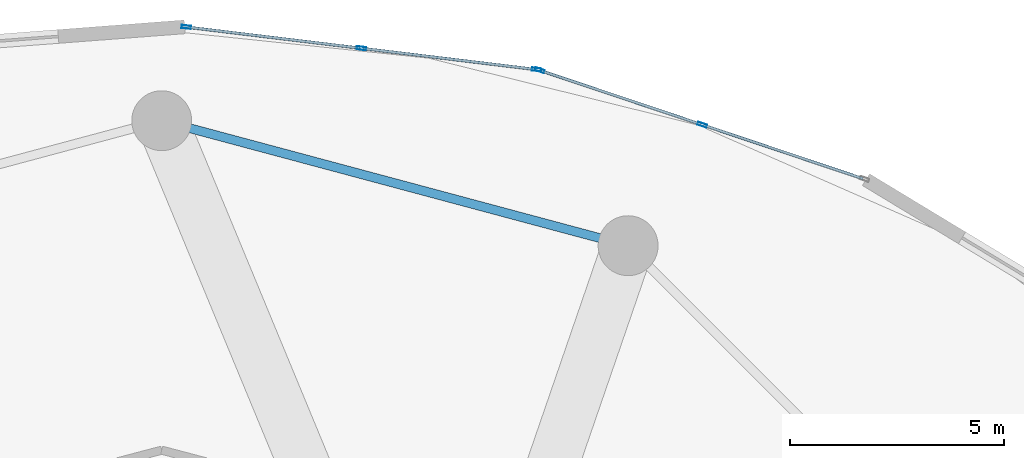
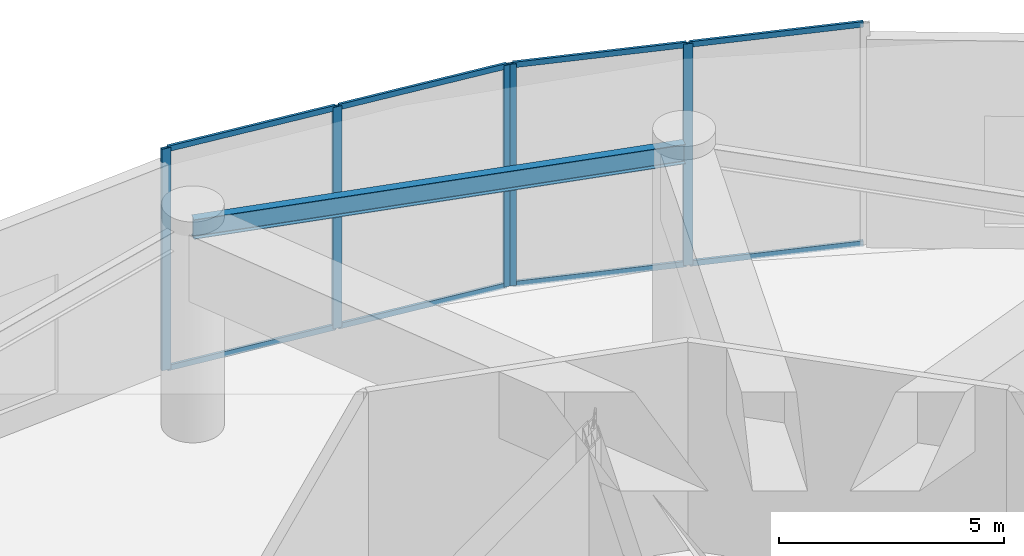
# One storey, part 18 of 28: 13 members, 1 beam, 2 elements without a shape of their own.
"""IFC4 building model written with IfcOpenShell, lengths in metres."""

from ifc_helpers import new_model, si_unit, direction, frame, origin, origin_2d, place, context, subcontext, project, spatial, hollow_rectangle, i_section, extrude, source, transform, mapped, material, layer, layer_set, material_profile, profile_set, type_object, element, aggregate, save


model = new_model("IFC4")

# Units and contexts
model_context = context("Model", 3, precision=1e-05, world=origin(), true_north=direction((0.0, 1.0)))
body_context = subcontext(model_context, "Body", "Model", "MODEL_VIEW")
ifc_project = project(units=[si_unit("LENGTHUNIT", "METRE"), si_unit("AREAUNIT", "SQUARE_METRE"), si_unit("VOLUMEUNIT", "CUBIC_METRE"), si_unit("PLANEANGLEUNIT", "RADIAN"), si_unit("MASSUNIT", "GRAM", prefix="KILO")], contexts=[model_context])

# Site, building, storey
site_placement = place(None, origin())
site = spatial("IfcSite", under=ifc_project, at=site_placement, CompositionType="ELEMENT")
building_placement = place(site_placement, origin())
building = spatial("IfcBuilding", under=site, at=building_placement, Name="Solvirekh Grand Hotel", CompositionType="ELEMENT")
storey_placement = place(building_placement, frame((0.0, 0.0, 12.60009765625)))
storey = spatial("IfcBuildingStorey", under=building, at=storey_placement, Name="L02", CompositionType="ELEMENT", Elevation=12.60009765625)

# Beam
ifc_material_1 = material(Name="Steel S355", Category="steel")
ifc_material_profile_1 = material_profile(ifc_material_1, i_section(OverallWidth=0.208984375, OverallDepth=0.532958984375, WebThickness=0.010009765625, FlangeThickness=0.014892578125, FilletRadius=0.013916015625, at=origin_2d()), Name="W530X92")
ifc_profile_set_1 = profile_set([ifc_material_profile_1], Name="Steel S355")
beam_type = type_object("IfcBeamType", Name="Spandrel_Ring_W530", PredefinedType="SPANDREL", material=ifc_profile_set_1)
beam_placement = place(storey_placement, frame((10.89990234375, 18.87890625, 5.372802734375), z_axis=(-0.965914248703, 0.258862249378, 0.0), x_axis=(-0.258862249378, -0.965914248703, 0.0)))
element("IfcBeam", 1, at=beam_placement, inside=storey, type_object=beam_type, Name="L02 perimeter spandrel beam 3", PredefinedType="SPANDREL", context=body_context, shape_type="SweptSolid", body=[
    extrude(i_section(OverallWidth=0.208984375, OverallDepth=0.532958984375, WebThickness=0.010009765625, FlangeThickness=0.014892578125, FilletRadius=0.013916015625, at=origin_2d()), origin(), (0.0, 0.0, 1.0), 11.284423828125),
])

# Curtain wall, members
ifc_material_2 = material(Name="Anodized Bronze Aluminium 6063-T6", Category="aluminium")
ifc_layer = layer(ifc_material_2, 0.219970703125)
ifc_layer_set = layer_set([ifc_layer], Name="Anodized Bronze Aluminium 6063-T6")
curtain_wall_type = type_object("IfcCurtainWallType", Name="CW_Sys1_PodiumBronzeUnitised", PredefinedType="NOTDEFINED", material=ifc_layer_set)
curtain_wall_1_placement = place(storey_placement, origin())
curtain_wall_1 = element("IfcCurtainWall", 2, at=curtain_wall_1_placement, inside=storey, type_object=curtain_wall_type, Name="L02 unitised bronze-glass curtain wall CW-L02-C05", PredefinedType="NOTDEFINED")
ifc_material_profile_2 = material_profile(ifc_material_2, hollow_rectangle(XDim=0.074951171875, YDim=0.219970703125, WallThickness=0.006103515625, at=origin_2d()), Name="ALU RHS 220X75X6")
ifc_profile_set_2 = profile_set([ifc_material_profile_2], Name="Anodized Bronze Aluminium 6063-T6")
member_type_1 = type_object("IfcMemberType", Name="CWMullion_Sys1", PredefinedType="MULLION", material=ifc_profile_set_2)
shared_shape_1 = source(origin(), body_context, "Body", "SweptSolid", [
    extrude(hollow_rectangle(XDim=0.074951171875, YDim=0.219970703125, WallThickness=0.006103515625, at=origin_2d()), origin(), (0.0, 0.0, 1.0), 6.0),
])
member_1_placement = place(storey_placement, frame((12.62890625, 21.70654296875, 0.0), z_axis=(0.0, 0.0, 1.0), x_axis=(-0.317897817007, -0.948124980128, 0.0)))
member_1 = element("IfcMember", 3, at=member_1_placement, type_object=member_type_1, Name="U01 mullion 2", PredefinedType="MULLION", context=body_context, shape_type="MappedRepresentation", body=[
    mapped(shared_shape_1, transform((0.0, 0.0, 0.0), x_axis=(1.0, 0.0, 0.0), y_axis=(0.0, 1.0, 0.0), z_axis=(0.0, 0.0, 1.0), scale=1.0)),
])
member_2_placement = place(storey_placement, frame((8.83349609375, 22.97900390625, 0.0), z_axis=(0.0, 0.0, 1.0), x_axis=(-0.317897817007, -0.948124980128, 0.0)))
member_2 = element("IfcMember", 4, at=member_2_placement, type_object=member_type_1, Name="U01 mullion 3", PredefinedType="MULLION", context=body_context, shape_type="MappedRepresentation", body=[
    mapped(shared_shape_1, transform((0.0, 0.0, 0.0), x_axis=(1.0, 0.0, 0.0), y_axis=(0.0, 1.0, 0.0), z_axis=(0.0, 0.0, 1.0), scale=1.0)),
])

curtain_wall_2_placement = place(storey_placement, origin())
curtain_wall_2 = element("IfcCurtainWall", 5, at=curtain_wall_2_placement, inside=storey, type_object=curtain_wall_type, Name="L02 unitised bronze-glass curtain wall CW-L02-C06", PredefinedType="NOTDEFINED")
member_3_placement = place(storey_placement, frame((8.7607421875, 22.99560546875, 0.0), z_axis=(0.0, 0.0, 1.0), x_axis=(-0.12051436912, -0.992711582906, 0.0)))
member_3 = element("IfcMember", 6, at=member_3_placement, type_object=member_type_1, Name="U01 mullion 1", PredefinedType="MULLION", context=body_context, shape_type="MappedRepresentation", body=[
    mapped(shared_shape_1, transform((0.0, 0.0, 0.0), x_axis=(1.0, 0.0, 0.0), y_axis=(0.0, 1.0, 0.0), z_axis=(0.0, 0.0, 1.0), scale=1.0)),
])
member_4_placement = place(storey_placement, frame((4.6669921875, 23.492431640625, 0.0), z_axis=(0.0, 0.0, 1.0), x_axis=(-0.12051436912, -0.992711582906, 0.0)))
member_4 = element("IfcMember", 7, at=member_4_placement, type_object=member_type_1, Name="U01 mullion 2", PredefinedType="MULLION", context=body_context, shape_type="MappedRepresentation", body=[
    mapped(shared_shape_1, transform((0.0, 0.0, 0.0), x_axis=(1.0, 0.0, 0.0), y_axis=(0.0, 1.0, 0.0), z_axis=(0.0, 0.0, 1.0), scale=1.0)),
])
member_5_placement = place(storey_placement, frame((0.5732421875, 23.989501953125, 0.0), z_axis=(0.0, 0.0, 1.0), x_axis=(-0.12051436912, -0.992711582906, 0.0)))
member_5 = element("IfcMember", 8, at=member_5_placement, type_object=member_type_1, Name="U01 mullion 3", PredefinedType="MULLION", context=body_context, shape_type="MappedRepresentation", body=[
    mapped(shared_shape_1, transform((0.0, 0.0, 0.0), x_axis=(1.0, 0.0, 0.0), y_axis=(0.0, 1.0, 0.0), z_axis=(0.0, 0.0, 1.0), scale=1.0)),
])

# Member
ifc_material_profile_3 = material_profile(ifc_material_2, hollow_rectangle(XDim=0.06494140625, YDim=0.14990234375, WallThickness=0.0048828125, at=origin_2d()), Name="ALU RHS 150X65X5")
ifc_profile_set_3 = profile_set([ifc_material_profile_3], Name="Anodized Bronze Aluminium 6063-T6")
member_type_2 = type_object("IfcMemberType", Name="CWTransom_Sys1", PredefinedType="USERDEFINED", material=ifc_profile_set_3)
shared_shape_2 = source(origin(), body_context, "Body", "SweptSolid", [
    extrude(hollow_rectangle(XDim=0.06494140625, YDim=0.14990234375, WallThickness=0.0048828125, at=origin_2d()), origin(), (0.0, 0.0, 1.0), 3.92822265625),
])
member_6_placement = place(storey_placement, frame((16.388916015625, 20.44580078125, 0.032470703125), z_axis=(-0.948122449612, 0.317905364128, 0.0), x_axis=(-0.317905364128, -0.948122449612, 0.0)))
member_6 = element("IfcMember", 9, at=member_6_placement, type_object=member_type_2, Name="U01 transom 1.1", ObjectType="TRANSOM", PredefinedType="USERDEFINED", context=body_context, shape_type="MappedRepresentation", body=[
    mapped(shared_shape_2, transform((0.0, 0.0, 0.0), x_axis=(1.0, 0.0, 0.0), y_axis=(0.0, 1.0, 0.0), z_axis=(0.0, 0.0, 1.0), scale=1.0)),
])

member_7_placement = place(storey_placement, frame((16.388916015625, 20.44580078125, 5.96728515625), z_axis=(-0.948122449612, 0.317905364128, 0.0), x_axis=(-0.317905364128, -0.948122449612, 0.0)))
member_7 = element("IfcMember", 10, at=member_7_placement, type_object=member_type_2, Name="U01 transom 1.2", ObjectType="TRANSOM", PredefinedType="USERDEFINED", context=body_context, shape_type="MappedRepresentation", body=[
    mapped(shared_shape_2, transform((0.0, 0.0, 0.0), x_axis=(1.0, 0.0, 0.0), y_axis=(0.0, 1.0, 0.0), z_axis=(0.0, 0.0, 1.0), scale=1.0)),
])

shared_shape_3 = source(origin(), body_context, "Body", "SweptSolid", [
    extrude(hollow_rectangle(XDim=0.06494140625, YDim=0.14990234375, WallThickness=0.0048828125, at=origin_2d()), origin(), (0.0, 0.0, 1.0), 3.927978515625),
])
member_8_placement = place(storey_placement, frame((12.593505859375, 21.718505859375, 0.032470703125), z_axis=(-0.948141181646, 0.317849492162, 0.0), x_axis=(-0.317849492162, -0.948141181646, 0.0)))
member_8 = element("IfcMember", 11, at=member_8_placement, type_object=member_type_2, Name="U01 transom 2.1", ObjectType="TRANSOM", PredefinedType="USERDEFINED", context=body_context, shape_type="MappedRepresentation", body=[
    mapped(shared_shape_3, transform((0.0, 0.0, 0.0), x_axis=(1.0, 0.0, 0.0), y_axis=(0.0, 1.0, 0.0), z_axis=(0.0, 0.0, 1.0), scale=1.0)),
])

member_9_placement = place(storey_placement, frame((12.593505859375, 21.718505859375, 5.96728515625), z_axis=(-0.948141181646, 0.317849492162, 0.0), x_axis=(-0.317849492162, -0.948141181646, 0.0)))
member_9 = element("IfcMember", 12, at=member_9_placement, type_object=member_type_2, Name="U01 transom 2.2", ObjectType="TRANSOM", PredefinedType="USERDEFINED", context=body_context, shape_type="MappedRepresentation", body=[
    mapped(shared_shape_3, transform((0.0, 0.0, 0.0), x_axis=(1.0, 0.0, 0.0), y_axis=(0.0, 1.0, 0.0), z_axis=(0.0, 0.0, 1.0), scale=1.0)),
])

aggregate(curtain_wall_1, [member_1, member_2, member_6, member_7, member_8, member_9])

shared_shape_4 = source(origin(), body_context, "Body", "SweptSolid", [
    extrude(hollow_rectangle(XDim=0.06494140625, YDim=0.14990234375, WallThickness=0.0048828125, at=origin_2d()), origin(), (0.0, 0.0, 1.0), 4.048828125),
])
member_10_placement = place(storey_placement, frame((8.7236328125, 23.0, 0.032470703125), z_axis=(-0.99270865843, 0.12053845643, 0.0), x_axis=(-0.12053845643, -0.99270865843, 0.0)))
member_10 = element("IfcMember", 13, at=member_10_placement, type_object=member_type_2, Name="U01 transom 1.1", ObjectType="TRANSOM", PredefinedType="USERDEFINED", context=body_context, shape_type="MappedRepresentation", body=[
    mapped(shared_shape_4, transform((0.0, 0.0, 0.0), x_axis=(1.0, 0.0, 0.0), y_axis=(0.0, 1.0, 0.0), z_axis=(0.0, 0.0, 1.0), scale=1.0)),
])

member_11_placement = place(storey_placement, frame((8.7236328125, 23.0, 5.96728515625), z_axis=(-0.99270865843, 0.12053845643, 0.0), x_axis=(-0.12053845643, -0.99270865843, 0.0)))
member_11 = element("IfcMember", 14, at=member_11_placement, type_object=member_type_2, Name="U01 transom 1.2", ObjectType="TRANSOM", PredefinedType="USERDEFINED", context=body_context, shape_type="MappedRepresentation", body=[
    mapped(shared_shape_4, transform((0.0, 0.0, 0.0), x_axis=(1.0, 0.0, 0.0), y_axis=(0.0, 1.0, 0.0), z_axis=(0.0, 0.0, 1.0), scale=1.0)),
])

shared_shape_5 = source(origin(), body_context, "Body", "SweptSolid", [
    extrude(hollow_rectangle(XDim=0.06494140625, YDim=0.14990234375, WallThickness=0.0048828125, at=origin_2d()), origin(), (0.0, 0.0, 1.0), 4.049072265625),
])
member_12_placement = place(storey_placement, frame((4.6298828125, 23.4970703125, 0.032470703125), z_axis=(-0.992716747286, 0.120471821008, 0.0), x_axis=(-0.120471821008, -0.992716747286, 0.0)))
member_12 = element("IfcMember", 15, at=member_12_placement, type_object=member_type_2, Name="U01 transom 2.1", ObjectType="TRANSOM", PredefinedType="USERDEFINED", context=body_context, shape_type="MappedRepresentation", body=[
    mapped(shared_shape_5, transform((0.0, 0.0, 0.0), x_axis=(1.0, 0.0, 0.0), y_axis=(0.0, 1.0, 0.0), z_axis=(0.0, 0.0, 1.0), scale=1.0)),
])

member_13_placement = place(storey_placement, frame((4.6298828125, 23.4970703125, 5.96728515625), z_axis=(-0.992716747286, 0.120471821008, 0.0), x_axis=(-0.120471821008, -0.992716747286, 0.0)))
member_13 = element("IfcMember", 16, at=member_13_placement, type_object=member_type_2, Name="U01 transom 2.2", ObjectType="TRANSOM", PredefinedType="USERDEFINED", context=body_context, shape_type="MappedRepresentation", body=[
    mapped(shared_shape_5, transform((0.0, 0.0, 0.0), x_axis=(1.0, 0.0, 0.0), y_axis=(0.0, 1.0, 0.0), z_axis=(0.0, 0.0, 1.0), scale=1.0)),
])

aggregate(curtain_wall_2, [member_3, member_4, member_5, member_10, member_11, member_12, member_13])

save(model, "model.ifc")
